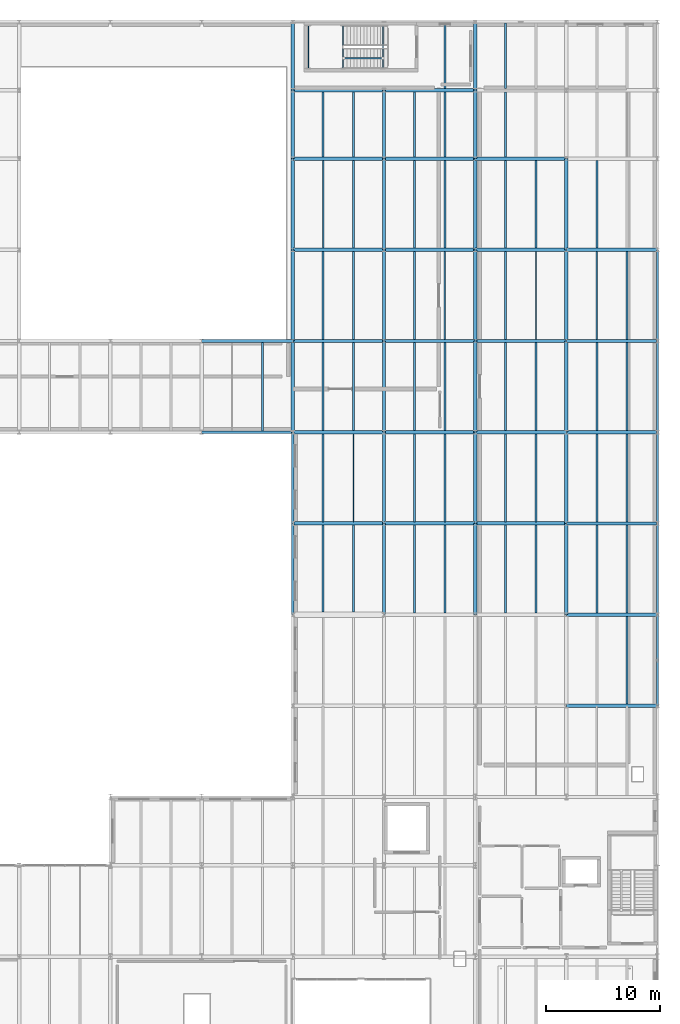
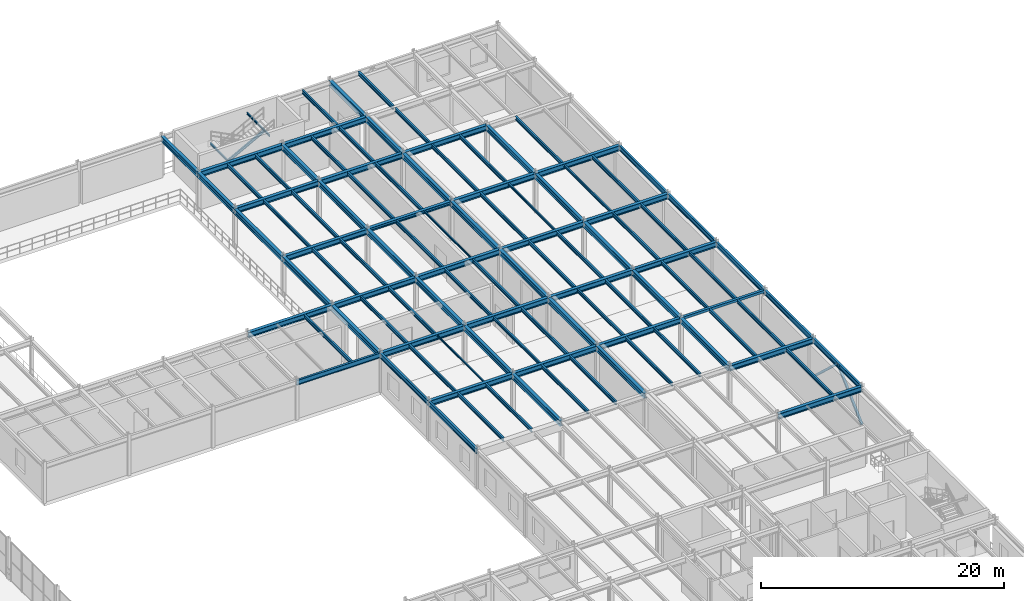
# One storey, part 66 of 122: 106 beams, 3 members.
"""IFC4 building model written with IfcOpenShell, lengths in metres."""

from ifc_helpers import new_model, si_unit, direction, frame, origin, origin_2d, place, context, subcontext, project, spatial, hollow_rectangle, i_section, extrude, material, material_profile, profile_set, type_object, element, save


model = new_model("IFC4")

# Units and contexts
model_context = context("Model", 3, precision=1e-05, world=origin(), true_north=direction((0.0, 1.0)))
body_context = subcontext(model_context, "Body", "Model", "MODEL_VIEW")
ifc_project = project(units=[si_unit("LENGTHUNIT", "METRE"), si_unit("AREAUNIT", "SQUARE_METRE"), si_unit("VOLUMEUNIT", "CUBIC_METRE"), si_unit("PLANEANGLEUNIT", "RADIAN"), si_unit("MASSUNIT", "GRAM", prefix="KILO")], contexts=[model_context])

# Site, building, storey
site_placement = place(None, origin())
site = spatial("IfcSite", under=ifc_project, at=site_placement, CompositionType="ELEMENT")
building_placement = place(site_placement, origin())
building = spatial("IfcBuilding", under=site, at=building_placement, Name="Sundkrona Museum", CompositionType="ELEMENT")
storey_placement = place(building_placement, frame((0.0, 0.0, 5.39990234375)))
storey = spatial("IfcBuildingStorey", under=building, at=storey_placement, Name="L01", CompositionType="ELEMENT", Elevation=5.39990234375)

# Beams
ifc_material_1 = material(Name="Steel S355J2", Category="steel")
ifc_material_profile_1 = material_profile(ifc_material_1, i_section(OverallWidth=0.300048828125, OverallDepth=0.5400390625, WebThickness=0.012451171875, FlangeThickness=0.02392578125, FilletRadius=0.027099609375, at=origin_2d()), Name="HEA 550")
ifc_profile_set_1 = profile_set([ifc_material_profile_1], Name="Steel S355J2")
beam_type_1 = type_object("IfcBeamType", Name="B-HEA550", PredefinedType="BEAM", material=ifc_profile_set_1)
for number, where, z_axis, x_axis, name in (
    (1, (160.0, 54.0, 3.670166015625), (1.0, 0.0, 0.0), (0.0, 1.0, 0.0), "L01 Girder X-0870"),
    (2, (160.0, 62.0, 3.670166015625), (1.0, 0.0, 0.0), (0.0, 1.0, 0.0), "L01 Girder X-0876"),
    (3, (136.0, 70.0, 3.670166015625), (1.0, 0.0, 0.0), (0.0, 1.0, 0.0), "L01 Girder X-0879"),
    (4, (144.0, 70.0, 3.670166015625), (1.0, 0.0, 0.0), (0.0, 1.0, 0.0), "L01 Girder X-0880"),
    (5, (152.0, 70.0, 3.670166015625), (1.0, 0.0, 0.0), (0.0, 1.0, 0.0), "L01 Girder X-0881"),
    (6, (136.0, 78.0, 3.670166015625), (1.0, 0.0, 0.0), (0.0, 1.0, 0.0), "L01 Girder X-0895"),
    (7, (144.0, 78.0, 3.670166015625), (1.0, 0.0, 0.0), (0.0, 1.0, 0.0), "L01 Girder X-0896"),
    (8, (152.0, 78.0, 3.670166015625), (1.0, 0.0, 0.0), (0.0, 1.0, 0.0), "L01 Girder X-0897"),
    (9, (160.0, 78.0, 3.670166015625), (1.0, 0.0, 0.0), (0.0, 1.0, 0.0), "L01 Girder X-0898"),
    (10, (128.0, 86.0, 3.670166015625), (1.0, 0.0, 0.0), (0.0, 1.0, 0.0), "L01 Girder X-0903"),
    (11, (136.0, 86.0, 3.670166015625), (1.0, 0.0, 0.0), (0.0, 1.0, 0.0), "L01 Girder X-0904"),
    (12, (144.0, 86.0, 3.670166015625), (1.0, 0.0, 0.0), (0.0, 1.0, 0.0), "L01 Girder X-0905"),
    (13, (152.0, 86.0, 3.670166015625), (1.0, 0.0, 0.0), (0.0, 1.0, 0.0), "L01 Girder X-0906"),
    (14, (160.0, 86.0, 3.670166015625), (1.0, 0.0, 0.0), (0.0, 1.0, 0.0), "L01 Girder X-0907"),
    (15, (136.0, 94.0, 3.670166015625), (1.0, 0.0, 0.0), (0.0, 1.0, 0.0), "L01 Girder X-0917"),
    (16, (152.0, 94.0, 3.670166015625), (1.0, 0.0, 0.0), (0.0, 1.0, 0.0), "L01 Girder X-0919"),
    (17, (160.0, 94.0, 3.670166015625), (1.0, 0.0, 0.0), (0.0, 1.0, 0.0), "L01 Girder X-0920"),
    (18, (136.0, 102.0, 3.670166015625), (1.0, 0.0, 0.0), (0.0, 1.0, 0.0), "L01 Girder X-0930"),
    (19, (144.0, 102.0, 3.670166015625), (1.0, 0.0, 0.0), (0.0, 1.0, 0.0), "L01 Girder X-0931"),
    (20, (152.0, 102.0, 3.670166015625), (1.0, 0.0, 0.0), (0.0, 1.0, 0.0), "L01 Girder X-0932"),
    (21, (136.0, 108.0, 3.670166015625), (1.0, 0.0, 0.0), (0.0, 1.0, 0.0), "L01 Girder X-0943"),
    (22, (144.0, 108.0, 3.670166015625), (1.0, 0.0, 0.0), (0.0, 1.0, 0.0), "L01 Girder X-0944"),
    (23, (136.0, 78.0, 3.670166015625), (0.0, 1.0, 0.0), (-1.0, 0.0, 0.0), "L01 Girder Y-1063"),
    (24, (136.0, 86.0, 3.670166015625), (0.0, 1.0, 0.0), (-1.0, 0.0, 0.0), "L01 Girder Y-1064"),
    (25, (136.0, 94.0, 3.670166015625), (0.0, 1.0, 0.0), (-1.0, 0.0, 0.0), "L01 Girder Y-1065"),
):
    element("IfcBeam", number, at=place(storey_placement, frame(where, z_axis=z_axis, x_axis=x_axis)), inside=storey, type_object=beam_type_1, Name=name, PredefinedType="BEAM", context=body_context, shape_type="SweptSolid", body=[
        extrude(i_section(OverallWidth=0.300048828125, OverallDepth=0.5400390625, WebThickness=0.012451171875, FlangeThickness=0.02392578125, FilletRadius=0.027099609375, at=origin_2d()), origin(), (0.0, 0.0, 1.0), 8.0),
    ])
for number, where, z_axis, x_axis, name in (
    (26, (136.0, 102.0, 3.670166015625), (0.0, 1.0, 0.0), (-1.0, 0.0, 0.0), "L01 Girder Y-1066"),
    (27, (136.0, 108.0, 3.670166015625), (0.0, 1.0, 0.0), (-1.0, 0.0, 0.0), "L01 Girder Y-1067"),
):
    element("IfcBeam", number, at=place(storey_placement, frame(where, z_axis=z_axis, x_axis=x_axis)), inside=storey, type_object=beam_type_1, Name=name, PredefinedType="BEAM", context=body_context, shape_type="SweptSolid", body=[
        extrude(i_section(OverallWidth=0.300048828125, OverallDepth=0.5400390625, WebThickness=0.012451171875, FlangeThickness=0.02392578125, FilletRadius=0.027099609375, at=origin_2d()), origin(), (0.0, 0.0, 1.0), 6.0),
    ])
for number, where, z_axis, x_axis, name in (
    (28, (144.0, 62.0, 3.670166015625), (0.0, 1.0, 0.0), (-1.0, 0.0, 0.0), "L01 Girder Y-1073"),
    (29, (144.0, 70.0, 3.670166015625), (0.0, 1.0, 0.0), (-1.0, 0.0, 0.0), "L01 Girder Y-1074"),
    (30, (144.0, 78.0, 3.670166015625), (0.0, 1.0, 0.0), (-1.0, 0.0, 0.0), "L01 Girder Y-1075"),
    (31, (144.0, 86.0, 3.670166015625), (0.0, 1.0, 0.0), (-1.0, 0.0, 0.0), "L01 Girder Y-1076"),
    (32, (144.0, 94.0, 3.670166015625), (0.0, 1.0, 0.0), (-1.0, 0.0, 0.0), "L01 Girder Y-1077"),
):
    element("IfcBeam", number, at=place(storey_placement, frame(where, z_axis=z_axis, x_axis=x_axis)), inside=storey, type_object=beam_type_1, Name=name, PredefinedType="BEAM", context=body_context, shape_type="SweptSolid", body=[
        extrude(i_section(OverallWidth=0.300048828125, OverallDepth=0.5400390625, WebThickness=0.012451171875, FlangeThickness=0.02392578125, FilletRadius=0.027099609375, at=origin_2d()), origin(), (0.0, 0.0, 1.0), 8.0),
    ])
beam_1_placement = place(storey_placement, frame((144.0, 102.0, 3.670166015625), z_axis=(0.0, 1.0, 0.0), x_axis=(-1.0, 0.0, 0.0)))
element("IfcBeam", 33, at=beam_1_placement, inside=storey, type_object=beam_type_1, Name="L01 Girder Y-1078", PredefinedType="BEAM", context=body_context, shape_type="SweptSolid", body=[
    extrude(i_section(OverallWidth=0.300048828125, OverallDepth=0.5400390625, WebThickness=0.012451171875, FlangeThickness=0.02392578125, FilletRadius=0.027099609375, at=origin_2d()), origin(), (0.0, 0.0, 1.0), 6.0),
])
for number, where, z_axis, x_axis, name in (
    (34, (152.0, 62.0, 3.670166015625), (0.0, 1.0, 0.0), (-1.0, 0.0, 0.0), "L01 Girder Y-1087"),
    (35, (152.0, 70.0, 3.670166015625), (0.0, 1.0, 0.0), (-1.0, 0.0, 0.0), "L01 Girder Y-1088"),
    (36, (152.0, 78.0, 3.670166015625), (0.0, 1.0, 0.0), (-1.0, 0.0, 0.0), "L01 Girder Y-1089"),
    (37, (152.0, 86.0, 3.670166015625), (0.0, 1.0, 0.0), (-1.0, 0.0, 0.0), "L01 Girder Y-1090"),
    (38, (152.0, 94.0, 3.670166015625), (0.0, 1.0, 0.0), (-1.0, 0.0, 0.0), "L01 Girder Y-1091"),
):
    element("IfcBeam", number, at=place(storey_placement, frame(where, z_axis=z_axis, x_axis=x_axis)), inside=storey, type_object=beam_type_1, Name=name, PredefinedType="BEAM", context=body_context, shape_type="SweptSolid", body=[
        extrude(i_section(OverallWidth=0.300048828125, OverallDepth=0.5400390625, WebThickness=0.012451171875, FlangeThickness=0.02392578125, FilletRadius=0.027099609375, at=origin_2d()), origin(), (0.0, 0.0, 1.0), 8.0),
    ])
for number, where, z_axis, x_axis, name in (
    (39, (152.0, 102.0, 3.670166015625), (0.0, 1.0, 0.0), (-1.0, 0.0, 0.0), "L01 Girder Y-1092"),
    (40, (152.0, 108.0, 3.670166015625), (0.0, 1.0, 0.0), (-1.0, 0.0, 0.0), "L01 Girder Y-1093"),
):
    element("IfcBeam", number, at=place(storey_placement, frame(where, z_axis=z_axis, x_axis=x_axis)), inside=storey, type_object=beam_type_1, Name=name, PredefinedType="BEAM", context=body_context, shape_type="SweptSolid", body=[
        extrude(i_section(OverallWidth=0.300048828125, OverallDepth=0.5400390625, WebThickness=0.012451171875, FlangeThickness=0.02392578125, FilletRadius=0.027099609375, at=origin_2d()), origin(), (0.0, 0.0, 1.0), 6.0),
    ])
for number, where, z_axis, x_axis, name in (
    (41, (160.0, 62.0, 3.670166015625), (0.0, 1.0, 0.0), (-1.0, 0.0, 0.0), "L01 Girder Y-1100"),
    (42, (160.0, 70.0, 3.670166015625), (0.0, 1.0, 0.0), (-1.0, 0.0, 0.0), "L01 Girder Y-1101"),
    (43, (160.0, 78.0, 3.670166015625), (0.0, 1.0, 0.0), (-1.0, 0.0, 0.0), "L01 Girder Y-1102"),
    (44, (160.0, 86.0, 3.670166015625), (0.0, 1.0, 0.0), (-1.0, 0.0, 0.0), "L01 Girder Y-1103"),
    (45, (160.0, 94.0, 3.670166015625), (0.0, 1.0, 0.0), (-1.0, 0.0, 0.0), "L01 Girder Y-1104"),
):
    element("IfcBeam", number, at=place(storey_placement, frame(where, z_axis=z_axis, x_axis=x_axis)), inside=storey, type_object=beam_type_1, Name=name, PredefinedType="BEAM", context=body_context, shape_type="SweptSolid", body=[
        extrude(i_section(OverallWidth=0.300048828125, OverallDepth=0.5400390625, WebThickness=0.012451171875, FlangeThickness=0.02392578125, FilletRadius=0.027099609375, at=origin_2d()), origin(), (0.0, 0.0, 1.0), 8.0),
    ])
ifc_material_profile_2 = material_profile(ifc_material_1, i_section(OverallWidth=0.300048828125, OverallDepth=0.360107421875, WebThickness=0.012451171875, FlangeThickness=0.0224609375, FilletRadius=0.027099609375, at=origin_2d()), Name="HEB 360")
ifc_profile_set_2 = profile_set([ifc_material_profile_2], Name="Steel S355J2")
beam_type_2 = type_object("IfcBeamType", Name="B-HEB360", PredefinedType="BEAM", material=ifc_profile_set_2)
beam_2_placement = place(storey_placement, frame((144.0, 94.0, 3.760009765625), z_axis=(1.0, 0.0, 0.0), x_axis=(0.0, 1.0, 0.0)))
element("IfcBeam", 46, at=beam_2_placement, inside=storey, type_object=beam_type_2, Name="L01 Girder X-0918", PredefinedType="BEAM", context=body_context, shape_type="SweptSolid", body=[
    extrude(i_section(OverallWidth=0.300048828125, OverallDepth=0.360107421875, WebThickness=0.012451171875, FlangeThickness=0.0224609375, FilletRadius=0.027099609375, at=origin_2d()), origin(), (0.0, 0.0, 1.0), 8.0),
])
ifc_material_2 = material(Name="Steel S460M", Category="steel")
ifc_material_profile_3 = material_profile(ifc_material_2, hollow_rectangle(XDim=0.25, YDim=0.25, WallThickness=0.012451171875, at=origin_2d()), Name="SHS 250x250x12.5")
ifc_profile_set_3 = profile_set([ifc_material_profile_3], Name="Steel S460M")
beam_type_3 = type_object("IfcBeamType", Name="B-SHS250", PredefinedType="BEAM", material=ifc_profile_set_3)
beam_3_placement = place(storey_placement, frame((160.0, 70.0, 3.815185546875), z_axis=(1.0, 0.0, 0.0), x_axis=(0.0, 1.0, 0.0)))
element("IfcBeam", 47, at=beam_3_placement, inside=storey, type_object=beam_type_3, Name="L01 Girder X-0882", PredefinedType="BEAM", context=body_context, shape_type="SweptSolid", body=[
    extrude(hollow_rectangle(XDim=0.25, YDim=0.25, WallThickness=0.012451171875, at=origin_2d()), origin(), (0.0, 0.0, 1.0), 8.0),
])

# Members
ifc_material_profile_4 = material_profile(ifc_material_1, i_section(OverallWidth=0.135009765625, OverallDepth=0.27001953125, WebThickness=0.006591796875, FlangeThickness=0.01025390625, FilletRadius=0.014892578125, at=origin_2d()), Name="IPE 270")
ifc_profile_set_4 = profile_set([ifc_material_profile_4], Name="Steel S355J2")
member_type_1 = type_object("IfcMemberType", Name="BR-IPE270", PredefinedType="BRACE", material=ifc_profile_set_4)
member_placement = place(storey_placement, frame((140.465087890625, 110.800048828125, 1.780029296875), z_axis=(0.882182779908, 0.0, 0.470907148846), x_axis=(0.0, 1.0, 0.0)))
element("IfcMember", 48, at=member_placement, inside=storey, type_object=member_type_1, Name="SRK-1 L01 ST-5 Flight 2 Inclined Carriage Raker", PredefinedType="BRACE", context=body_context, shape_type="SweptSolid", body=[
    extrude(i_section(OverallWidth=0.135009765625, OverallDepth=0.27001953125, WebThickness=0.006591796875, FlangeThickness=0.01025390625, FilletRadius=0.014892578125, at=origin_2d()), origin(), (0.0, 0.0, 1.0), 3.8935546875),
])
ifc_material_profile_5 = material_profile(ifc_material_1, hollow_rectangle(XDim=0.199951171875, YDim=0.199951171875, WallThickness=0.010009765625, at=origin_2d()), Name="SHS 200x200x10.0")
ifc_profile_set_5 = profile_set([ifc_material_profile_5], Name="Steel S355J2")
member_type_2 = type_object("IfcMemberType", Name="BR-SHS200", PredefinedType="BRACE", material=ifc_profile_set_5)
for number, where, z_axis, x_axis, name in (
    (49, (168.0, 54.0, 0.0), (0.0, 0.732252044543, 0.681033731369), (-1.0, 0.0, 0.0), "CBR-1 L01 Concentric Chevron Brace 027A"),
    (50, (168.0, 62.0, 0.0), (0.0, -0.732252044543, 0.681033731369), (1.0, 0.0, 0.0), "CBR-1 L01 Concentric Chevron Brace 027B"),
):
    element("IfcMember", number, at=place(storey_placement, frame(where, z_axis=z_axis, x_axis=x_axis)), inside=storey, type_object=member_type_2, Name=name, PredefinedType="BRACE", context=body_context, shape_type="SweptSolid", body=[
        extrude(hollow_rectangle(XDim=0.199951171875, YDim=0.199951171875, WallThickness=0.010009765625, at=origin_2d()), origin(), (0.0, 0.0, 1.0), 5.462646484375),
    ])

# Beams
ifc_material_profile_6 = material_profile(ifc_material_1, i_section(OverallWidth=0.091064453125, OverallDepth=0.179931640625, WebThickness=0.00537109375, FlangeThickness=0.008056640625, FilletRadius=0.009033203125, at=origin_2d()), Name="IPE 180")
ifc_profile_set_6 = profile_set([ifc_material_profile_6], Name="Steel S355J2")
beam_type_4 = type_object("IfcBeamType", Name="J-IPE180", PredefinedType="JOIST", material=ifc_profile_set_6)
beam_4_placement = place(storey_placement, frame((141.333251953125, 70.14404296875, 3.85009765625), z_axis=(0.0, 1.0, 0.0), x_axis=(-1.0, 0.0, 0.0)))
element("IfcBeam", 51, at=beam_4_placement, inside=storey, type_object=beam_type_4, Name="L01 Composite Joist 0695", PredefinedType="JOIST", context=body_context, shape_type="SweptSolid", body=[
    extrude(i_section(OverallWidth=0.091064453125, OverallDepth=0.179931640625, WebThickness=0.00537109375, FlangeThickness=0.008056640625, FilletRadius=0.009033203125, at=origin_2d()), origin(), (0.0, 0.0, 1.0), 7.7119140625),
])
ifc_material_profile_7 = material_profile(ifc_material_1, i_section(OverallWidth=0.10009765625, OverallDepth=0.199951171875, WebThickness=0.005615234375, FlangeThickness=0.008544921875, FilletRadius=0.011962890625, at=origin_2d()), Name="IPE 200")
ifc_profile_set_7 = profile_set([ifc_material_profile_7], Name="Steel S355J2")
beam_type_5 = type_object("IfcBeamType", Name="J-IPE200", PredefinedType="JOIST", material=ifc_profile_set_7)
beam_5_placement = place(storey_placement, frame((149.333251953125, 86.14404296875, 3.840087890625), z_axis=(0.0, 1.0, 0.0), x_axis=(-1.0, 0.0, 0.0)))
element("IfcBeam", 52, at=beam_5_placement, inside=storey, type_object=beam_type_5, Name="L01 Composite Joist 0720", PredefinedType="JOIST", context=body_context, shape_type="SweptSolid", body=[
    extrude(i_section(OverallWidth=0.10009765625, OverallDepth=0.199951171875, WebThickness=0.005615234375, FlangeThickness=0.008544921875, FilletRadius=0.011962890625, at=origin_2d()), origin(), (0.0, 0.0, 1.0), 7.7119140625),
])
for number, where, z_axis, x_axis, name in (
    (53, (137.36328125, 109.909912109375, 1.780029296875), (0.0, 1.0, 0.0), (-1.0, 0.0, 0.0), "L01 ST-5 Mid-Landing Trimmer Beam 1A"),
    (54, (140.401611328125, 109.909912109375, 1.780029296875), (0.0, 1.0, 0.0), (-1.0, 0.0, 0.0), "L01 ST-5 Mid-Landing Trimmer Beam 1B"),
    (55, (143.89990234375, 109.909912109375, 3.613525390625), (0.0, 1.0, 0.0), (-1.0, 0.0, 0.0), "L01 ST-5 Flight 2 Arrival Header Beam"),
):
    element("IfcBeam", number, at=place(storey_placement, frame(where, z_axis=z_axis, x_axis=x_axis)), inside=storey, type_object=beam_type_5, Name=name, PredefinedType="JOIST", context=body_context, shape_type="SweptSolid", body=[
        extrude(i_section(OverallWidth=0.10009765625, OverallDepth=0.199951171875, WebThickness=0.005615234375, FlangeThickness=0.008544921875, FilletRadius=0.011962890625, at=origin_2d()), origin(), (0.0, 0.0, 1.0), 3.780029296875),
    ])
ifc_material_profile_8 = material_profile(ifc_material_1, i_section(OverallWidth=0.1201171875, OverallDepth=0.239990234375, WebThickness=0.006103515625, FlangeThickness=0.009765625, FilletRadius=0.014892578125, at=origin_2d()), Name="IPE 240")
ifc_profile_set_8 = profile_set([ifc_material_profile_8], Name="Steel S355J2")
beam_type_6 = type_object("IfcBeamType", Name="J-IPE240", PredefinedType="JOIST", material=ifc_profile_set_8)
beam_6_placement = place(storey_placement, frame((157.333251953125, 86.14404296875, 3.820068359375), z_axis=(0.0, 1.0, 0.0), x_axis=(-1.0, 0.0, 0.0)))
element("IfcBeam", 56, at=beam_6_placement, inside=storey, type_object=beam_type_6, Name="L01 Composite Joist 0745", PredefinedType="JOIST", context=body_context, shape_type="SweptSolid", body=[
    extrude(i_section(OverallWidth=0.1201171875, OverallDepth=0.239990234375, WebThickness=0.006103515625, FlangeThickness=0.009765625, FilletRadius=0.014892578125, at=origin_2d()), origin(), (0.0, 0.0, 1.0), 7.7119140625),
])
ifc_material_profile_9 = material_profile(ifc_material_1, i_section(OverallWidth=0.135009765625, OverallDepth=0.27001953125, WebThickness=0.006591796875, FlangeThickness=0.01025390625, FilletRadius=0.014892578125, at=origin_2d()), Name="IPE 270")
ifc_profile_set_9 = profile_set([ifc_material_profile_9], Name="Steel S355J2")
beam_type_7 = type_object("IfcBeamType", Name="J-IPE270", PredefinedType="JOIST", material=ifc_profile_set_9)
beam_7_placement = place(storey_placement, frame((162.666748046875, 86.14404296875, 3.80517578125), z_axis=(0.0, 1.0, 0.0), x_axis=(-1.0, 0.0, 0.0)))
element("IfcBeam", 57, at=beam_7_placement, inside=storey, type_object=beam_type_7, Name="L01 Composite Joist 0770", PredefinedType="JOIST", context=body_context, shape_type="SweptSolid", body=[
    extrude(i_section(OverallWidth=0.135009765625, OverallDepth=0.27001953125, WebThickness=0.006591796875, FlangeThickness=0.01025390625, FilletRadius=0.014892578125, at=origin_2d()), origin(), (0.0, 0.0, 1.0), 7.7119140625),
])
ifc_material_profile_10 = material_profile(ifc_material_1, i_section(OverallWidth=0.14990234375, OverallDepth=0.300048828125, WebThickness=0.007080078125, FlangeThickness=0.0107421875, FilletRadius=0.014892578125, at=origin_2d()), Name="IPE 300")
ifc_profile_set_10 = profile_set([ifc_material_profile_10], Name="Steel S355J2")
beam_type_8 = type_object("IfcBeamType", Name="J-IPE300", PredefinedType="JOIST", material=ifc_profile_set_10)
beam_8_placement = place(storey_placement, frame((146.666748046875, 70.14404296875, 3.7900390625), z_axis=(0.0, 1.0, 0.0), x_axis=(-1.0, 0.0, 0.0)))
element("IfcBeam", 58, at=beam_8_placement, inside=storey, type_object=beam_type_8, Name="L01 Composite Joist 0715", PredefinedType="JOIST", context=body_context, shape_type="SweptSolid", body=[
    extrude(i_section(OverallWidth=0.14990234375, OverallDepth=0.300048828125, WebThickness=0.007080078125, FlangeThickness=0.0107421875, FilletRadius=0.014892578125, at=origin_2d()), origin(), (0.0, 0.0, 1.0), 7.7119140625),
])
ifc_material_profile_11 = material_profile(ifc_material_1, i_section(OverallWidth=0.159912109375, OverallDepth=0.330078125, WebThickness=0.007568359375, FlangeThickness=0.011474609375, FilletRadius=0.01806640625, at=origin_2d()), Name="IPE 330")
ifc_profile_set_11 = profile_set([ifc_material_profile_11], Name="Steel S355J2")
beam_type_9 = type_object("IfcBeamType", Name="J-IPE330", PredefinedType="JOIST", material=ifc_profile_set_11)
for number, where, z_axis, x_axis, name in (
    (59, (138.666748046875, 94.14404296875, 3.775146484375), (0.0, 1.0, 0.0), (-1.0, 0.0, 0.0), "L01 Composite Joist 0700"),
    (60, (154.666748046875, 70.14404296875, 3.775146484375), (0.0, 1.0, 0.0), (-1.0, 0.0, 0.0), "L01 Composite Joist 0740"),
):
    element("IfcBeam", number, at=place(storey_placement, frame(where, z_axis=z_axis, x_axis=x_axis)), inside=storey, type_object=beam_type_9, Name=name, PredefinedType="JOIST", context=body_context, shape_type="SweptSolid", body=[
        extrude(i_section(OverallWidth=0.159912109375, OverallDepth=0.330078125, WebThickness=0.007568359375, FlangeThickness=0.011474609375, FilletRadius=0.01806640625, at=origin_2d()), origin(), (0.0, 0.0, 1.0), 7.7119140625),
    ])
ifc_material_profile_12 = material_profile(ifc_material_1, i_section(OverallWidth=0.169921875, OverallDepth=0.360107421875, WebThickness=0.008056640625, FlangeThickness=0.0126953125, FilletRadius=0.01806640625, at=origin_2d()), Name="IPE 360")
ifc_profile_set_12 = profile_set([ifc_material_profile_12], Name="Steel S355J2")
beam_type_10 = type_object("IfcBeamType", Name="J-IPE360", PredefinedType="JOIST", material=ifc_profile_set_12)
beam_9_placement = place(storey_placement, frame((133.333251953125, 78.093994140625, 3.760009765625), z_axis=(0.0, 1.0, 0.0), x_axis=(-1.0, 0.0, 0.0)))
element("IfcBeam", 61, at=beam_9_placement, inside=storey, type_object=beam_type_10, Name="L01 Composite Joist 0681", PredefinedType="JOIST", context=body_context, shape_type="SweptSolid", body=[
    extrude(i_section(OverallWidth=0.169921875, OverallDepth=0.360107421875, WebThickness=0.008056640625, FlangeThickness=0.0126953125, FilletRadius=0.01806640625, at=origin_2d()), origin(), (0.0, 0.0, 1.0), 7.761962890625),
])
for number, where, z_axis, x_axis, name in (
    (62, (138.666748046875, 62.243896484375, 3.760009765625), (0.0, 1.0, 0.0), (-1.0, 0.0, 0.0), "L01 Composite Joist 0692"),
    (63, (141.333251953125, 62.243896484375, 3.760009765625), (0.0, 1.0, 0.0), (-1.0, 0.0, 0.0), "L01 Composite Joist 0693"),
):
    element("IfcBeam", number, at=place(storey_placement, frame(where, z_axis=z_axis, x_axis=x_axis)), inside=storey, type_object=beam_type_10, Name=name, PredefinedType="JOIST", context=body_context, shape_type="SweptSolid", body=[
        extrude(i_section(OverallWidth=0.169921875, OverallDepth=0.360107421875, WebThickness=0.008056640625, FlangeThickness=0.0126953125, FilletRadius=0.01806640625, at=origin_2d()), origin(), (0.0, 0.0, 1.0), 7.612060546875),
    ])
for number, where, z_axis, x_axis, name in (
    (64, (138.666748046875, 70.14404296875, 3.760009765625), (0.0, 1.0, 0.0), (-1.0, 0.0, 0.0), "L01 Composite Joist 0694"),
    (65, (138.666748046875, 78.14404296875, 3.760009765625), (0.0, 1.0, 0.0), (-1.0, 0.0, 0.0), "L01 Composite Joist 0696"),
    (66, (141.333251953125, 78.14404296875, 3.760009765625), (0.0, 1.0, 0.0), (-1.0, 0.0, 0.0), "L01 Composite Joist 0697"),
    (67, (138.666748046875, 86.14404296875, 3.760009765625), (0.0, 1.0, 0.0), (-1.0, 0.0, 0.0), "L01 Composite Joist 0698"),
    (68, (141.333251953125, 86.14404296875, 3.760009765625), (0.0, 1.0, 0.0), (-1.0, 0.0, 0.0), "L01 Composite Joist 0699"),
    (69, (141.333251953125, 94.14404296875, 3.760009765625), (0.0, 1.0, 0.0), (-1.0, 0.0, 0.0), "L01 Composite Joist 0701"),
):
    element("IfcBeam", number, at=place(storey_placement, frame(where, z_axis=z_axis, x_axis=x_axis)), inside=storey, type_object=beam_type_10, Name=name, PredefinedType="JOIST", context=body_context, shape_type="SweptSolid", body=[
        extrude(i_section(OverallWidth=0.169921875, OverallDepth=0.360107421875, WebThickness=0.008056640625, FlangeThickness=0.0126953125, FilletRadius=0.01806640625, at=origin_2d()), origin(), (0.0, 0.0, 1.0), 7.7119140625),
    ])
for number, where, z_axis, x_axis, name in (
    (70, (138.666748046875, 102.14404296875, 3.760009765625), (0.0, 1.0, 0.0), (-1.0, 0.0, 0.0), "L01 Composite Joist 0702"),
    (71, (141.333251953125, 102.14404296875, 3.760009765625), (0.0, 1.0, 0.0), (-1.0, 0.0, 0.0), "L01 Composite Joist 0703"),
):
    element("IfcBeam", number, at=place(storey_placement, frame(where, z_axis=z_axis, x_axis=x_axis)), inside=storey, type_object=beam_type_10, Name=name, PredefinedType="JOIST", context=body_context, shape_type="SweptSolid", body=[
        extrude(i_section(OverallWidth=0.169921875, OverallDepth=0.360107421875, WebThickness=0.008056640625, FlangeThickness=0.0126953125, FilletRadius=0.01806640625, at=origin_2d()), origin(), (0.0, 0.0, 1.0), 5.7119140625),
    ])
for number, where, z_axis, x_axis, name in (
    (72, (146.666748046875, 62.14404296875, 3.760009765625), (0.0, 1.0, 0.0), (-1.0, 0.0, 0.0), "L01 Composite Joist 0713"),
    (73, (149.333251953125, 62.14404296875, 3.760009765625), (0.0, 1.0, 0.0), (-1.0, 0.0, 0.0), "L01 Composite Joist 0714"),
    (74, (149.333251953125, 70.14404296875, 3.760009765625), (0.0, 1.0, 0.0), (-1.0, 0.0, 0.0), "L01 Composite Joist 0716"),
    (75, (146.666748046875, 78.14404296875, 3.760009765625), (0.0, 1.0, 0.0), (-1.0, 0.0, 0.0), "L01 Composite Joist 0717"),
    (76, (149.333251953125, 78.14404296875, 3.760009765625), (0.0, 1.0, 0.0), (-1.0, 0.0, 0.0), "L01 Composite Joist 0718"),
    (77, (146.666748046875, 86.14404296875, 3.760009765625), (0.0, 1.0, 0.0), (-1.0, 0.0, 0.0), "L01 Composite Joist 0719"),
    (78, (146.666748046875, 94.14404296875, 3.760009765625), (0.0, 1.0, 0.0), (-1.0, 0.0, 0.0), "L01 Composite Joist 0721"),
    (79, (149.333251953125, 94.14404296875, 3.760009765625), (0.0, 1.0, 0.0), (-1.0, 0.0, 0.0), "L01 Composite Joist 0722"),
):
    element("IfcBeam", number, at=place(storey_placement, frame(where, z_axis=z_axis, x_axis=x_axis)), inside=storey, type_object=beam_type_10, Name=name, PredefinedType="JOIST", context=body_context, shape_type="SweptSolid", body=[
        extrude(i_section(OverallWidth=0.169921875, OverallDepth=0.360107421875, WebThickness=0.008056640625, FlangeThickness=0.0126953125, FilletRadius=0.01806640625, at=origin_2d()), origin(), (0.0, 0.0, 1.0), 7.7119140625),
    ])
for number, where, z_axis, x_axis, name in (
    (80, (146.666748046875, 102.14404296875, 3.760009765625), (0.0, 1.0, 0.0), (-1.0, 0.0, 0.0), "L01 Composite Joist 0723"),
    (81, (149.333251953125, 102.14404296875, 3.760009765625), (0.0, 1.0, 0.0), (-1.0, 0.0, 0.0), "L01 Composite Joist 0724"),
):
    element("IfcBeam", number, at=place(storey_placement, frame(where, z_axis=z_axis, x_axis=x_axis)), inside=storey, type_object=beam_type_10, Name=name, PredefinedType="JOIST", context=body_context, shape_type="SweptSolid", body=[
        extrude(i_section(OverallWidth=0.169921875, OverallDepth=0.360107421875, WebThickness=0.008056640625, FlangeThickness=0.0126953125, FilletRadius=0.01806640625, at=origin_2d()), origin(), (0.0, 0.0, 1.0), 5.7119140625),
    ])
beam_10_placement = place(storey_placement, frame((149.333251953125, 108.14404296875, 3.760009765625), z_axis=(0.0, 1.0, 0.0), x_axis=(-1.0, 0.0, 0.0)))
element("IfcBeam", 82, at=beam_10_placement, inside=storey, type_object=beam_type_10, Name="L01 Composite Joist 0725", PredefinedType="JOIST", context=body_context, shape_type="SweptSolid", body=[
    extrude(i_section(OverallWidth=0.169921875, OverallDepth=0.360107421875, WebThickness=0.008056640625, FlangeThickness=0.0126953125, FilletRadius=0.01806640625, at=origin_2d()), origin(), (0.0, 0.0, 1.0), 5.761962890625),
])
for number, where, z_axis, x_axis, name in (
    (83, (154.666748046875, 62.14404296875, 3.760009765625), (0.0, 1.0, 0.0), (-1.0, 0.0, 0.0), "L01 Composite Joist 0738"),
    (84, (157.333251953125, 62.14404296875, 3.760009765625), (0.0, 1.0, 0.0), (-1.0, 0.0, 0.0), "L01 Composite Joist 0739"),
    (85, (157.333251953125, 70.14404296875, 3.760009765625), (0.0, 1.0, 0.0), (-1.0, 0.0, 0.0), "L01 Composite Joist 0741"),
    (86, (154.666748046875, 78.14404296875, 3.760009765625), (0.0, 1.0, 0.0), (-1.0, 0.0, 0.0), "L01 Composite Joist 0742"),
    (87, (157.333251953125, 78.14404296875, 3.760009765625), (0.0, 1.0, 0.0), (-1.0, 0.0, 0.0), "L01 Composite Joist 0743"),
    (88, (154.666748046875, 86.14404296875, 3.760009765625), (0.0, 1.0, 0.0), (-1.0, 0.0, 0.0), "L01 Composite Joist 0744"),
    (89, (154.666748046875, 94.14404296875, 3.760009765625), (0.0, 1.0, 0.0), (-1.0, 0.0, 0.0), "L01 Composite Joist 0746"),
    (90, (157.333251953125, 94.14404296875, 3.760009765625), (0.0, 1.0, 0.0), (-1.0, 0.0, 0.0), "L01 Composite Joist 0747"),
):
    element("IfcBeam", number, at=place(storey_placement, frame(where, z_axis=z_axis, x_axis=x_axis)), inside=storey, type_object=beam_type_10, Name=name, PredefinedType="JOIST", context=body_context, shape_type="SweptSolid", body=[
        extrude(i_section(OverallWidth=0.169921875, OverallDepth=0.360107421875, WebThickness=0.008056640625, FlangeThickness=0.0126953125, FilletRadius=0.01806640625, at=origin_2d()), origin(), (0.0, 0.0, 1.0), 7.7119140625),
    ])
beam_11_placement = place(storey_placement, frame((154.666748046875, 102.14404296875, 3.760009765625), z_axis=(0.0, 1.0, 0.0), x_axis=(-1.0, 0.0, 0.0)))
element("IfcBeam", 91, at=beam_11_placement, inside=storey, type_object=beam_type_10, Name="L01 Composite Joist 0748", PredefinedType="JOIST", context=body_context, shape_type="SweptSolid", body=[
    extrude(i_section(OverallWidth=0.169921875, OverallDepth=0.360107421875, WebThickness=0.008056640625, FlangeThickness=0.0126953125, FilletRadius=0.01806640625, at=origin_2d()), origin(), (0.0, 0.0, 1.0), 5.7119140625),
])
beam_12_placement = place(storey_placement, frame((165.333251953125, 54.14404296875, 3.760009765625), z_axis=(0.0, 1.0, 0.0), x_axis=(-1.0, 0.0, 0.0)))
element("IfcBeam", 92, at=beam_12_placement, inside=storey, type_object=beam_type_10, Name="L01 Composite Joist 0763", PredefinedType="JOIST", context=body_context, shape_type="SweptSolid", body=[
    extrude(i_section(OverallWidth=0.169921875, OverallDepth=0.360107421875, WebThickness=0.008056640625, FlangeThickness=0.0126953125, FilletRadius=0.01806640625, at=origin_2d()), origin(), (0.0, 0.0, 1.0), 7.7119140625),
])
for number, where, z_axis, x_axis, name in (
    (93, (162.666748046875, 62.14404296875, 3.760009765625), (0.0, 1.0, 0.0), (-1.0, 0.0, 0.0), "L01 Composite Joist 0764"),
    (94, (165.333251953125, 62.14404296875, 3.760009765625), (0.0, 1.0, 0.0), (-1.0, 0.0, 0.0), "L01 Composite Joist 0765"),
    (95, (162.666748046875, 70.118896484375, 3.760009765625), (0.0, 1.0, 0.0), (-1.0, 0.0, 0.0), "L01 Composite Joist 0766"),
    (96, (165.333251953125, 70.118896484375, 3.760009765625), (0.0, 1.0, 0.0), (-1.0, 0.0, 0.0), "L01 Composite Joist 0767"),
):
    element("IfcBeam", number, at=place(storey_placement, frame(where, z_axis=z_axis, x_axis=x_axis)), inside=storey, type_object=beam_type_10, Name=name, PredefinedType="JOIST", context=body_context, shape_type="SweptSolid", body=[
        extrude(i_section(OverallWidth=0.169921875, OverallDepth=0.360107421875, WebThickness=0.008056640625, FlangeThickness=0.0126953125, FilletRadius=0.01806640625, at=origin_2d()), origin(), (0.0, 0.0, 1.0), 7.737060546875),
    ])
for number, where, z_axis, x_axis, name in (
    (97, (162.666748046875, 78.14404296875, 3.760009765625), (0.0, 1.0, 0.0), (-1.0, 0.0, 0.0), "L01 Composite Joist 0768"),
    (98, (165.333251953125, 78.14404296875, 3.760009765625), (0.0, 1.0, 0.0), (-1.0, 0.0, 0.0), "L01 Composite Joist 0769"),
    (99, (165.333251953125, 86.14404296875, 3.760009765625), (0.0, 1.0, 0.0), (-1.0, 0.0, 0.0), "L01 Composite Joist 0771"),
    (100, (162.666748046875, 94.14404296875, 3.760009765625), (0.0, 1.0, 0.0), (-1.0, 0.0, 0.0), "L01 Composite Joist 0772"),
):
    element("IfcBeam", number, at=place(storey_placement, frame(where, z_axis=z_axis, x_axis=x_axis)), inside=storey, type_object=beam_type_10, Name=name, PredefinedType="JOIST", context=body_context, shape_type="SweptSolid", body=[
        extrude(i_section(OverallWidth=0.169921875, OverallDepth=0.360107421875, WebThickness=0.008056640625, FlangeThickness=0.0126953125, FilletRadius=0.01806640625, at=origin_2d()), origin(), (0.0, 0.0, 1.0), 7.7119140625),
    ])
ifc_material_profile_13 = material_profile(ifc_material_1, i_section(OverallWidth=0.179931640625, OverallDepth=0.39990234375, WebThickness=0.008544921875, FlangeThickness=0.013427734375, FilletRadius=0.02099609375, at=origin_2d()), Name="IPE 400")
ifc_profile_set_13 = profile_set([ifc_material_profile_13], Name="Steel S355J2")
beam_type_11 = type_object("IfcBeamType", Name="J-IPE400", PredefinedType="JOIST", material=ifc_profile_set_13)
beam_13_placement = place(storey_placement, frame((154.666748046875, 108.14404296875, 3.739990234375), z_axis=(0.0, 1.0, 0.0), x_axis=(-1.0, 0.0, 0.0)))
element("IfcBeam", 101, at=beam_13_placement, inside=storey, type_object=beam_type_11, Name="L01 Composite Joist 0750", PredefinedType="JOIST", context=body_context, shape_type="SweptSolid", body=[
    extrude(i_section(OverallWidth=0.179931640625, OverallDepth=0.39990234375, WebThickness=0.008544921875, FlangeThickness=0.013427734375, FilletRadius=0.02099609375, at=origin_2d()), origin(), (0.0, 0.0, 1.0), 5.761962890625),
])
ifc_material_profile_14 = material_profile(ifc_material_1, i_section(OverallWidth=0.199951171875, OverallDepth=0.5, WebThickness=0.01025390625, FlangeThickness=0.01611328125, FilletRadius=0.02099609375, at=origin_2d()), Name="IPE 500")
ifc_profile_set_14 = profile_set([ifc_material_profile_14], Name="Steel S355J2")
beam_type_12 = type_object("IfcBeamType", Name="SP-IPE500", PredefinedType="SPANDREL", material=ifc_profile_set_14)
for number, where, z_axis, x_axis, name in (
    (102, (128.0, 78.0, 3.690185546875), (1.0, 0.0, 0.0), (0.0, 1.0, 0.0), "L01 Girder X-0894"),
    (103, (136.0, 62.0, 3.690185546875), (0.0, 1.0, 0.0), (-1.0, 0.0, 0.0), "L01 Girder Y-1061"),
    (104, (136.0, 70.0, 3.690185546875), (0.0, 1.0, 0.0), (-1.0, 0.0, 0.0), "L01 Girder Y-1062"),
    (105, (168.0, 54.0, 3.690185546875), (0.0, 1.0, 0.0), (-1.0, 0.0, 0.0), "L01 Girder Y-1114"),
    (106, (168.0, 62.0, 3.690185546875), (0.0, 1.0, 0.0), (-1.0, 0.0, 0.0), "L01 Girder Y-1115"),
    (107, (168.0, 70.0, 3.690185546875), (0.0, 1.0, 0.0), (-1.0, 0.0, 0.0), "L01 Girder Y-1116"),
    (108, (168.0, 78.0, 3.690185546875), (0.0, 1.0, 0.0), (-1.0, 0.0, 0.0), "L01 Girder Y-1117"),
    (109, (168.0, 86.0, 3.690185546875), (0.0, 1.0, 0.0), (-1.0, 0.0, 0.0), "L01 Girder Y-1118"),
):
    element("IfcBeam", number, at=place(storey_placement, frame(where, z_axis=z_axis, x_axis=x_axis)), inside=storey, type_object=beam_type_12, Name=name, PredefinedType="SPANDREL", context=body_context, shape_type="SweptSolid", body=[
        extrude(i_section(OverallWidth=0.199951171875, OverallDepth=0.5, WebThickness=0.01025390625, FlangeThickness=0.01611328125, FilletRadius=0.02099609375, at=origin_2d()), origin(), (0.0, 0.0, 1.0), 8.0),
    ])

save(model, "model.ifc")
